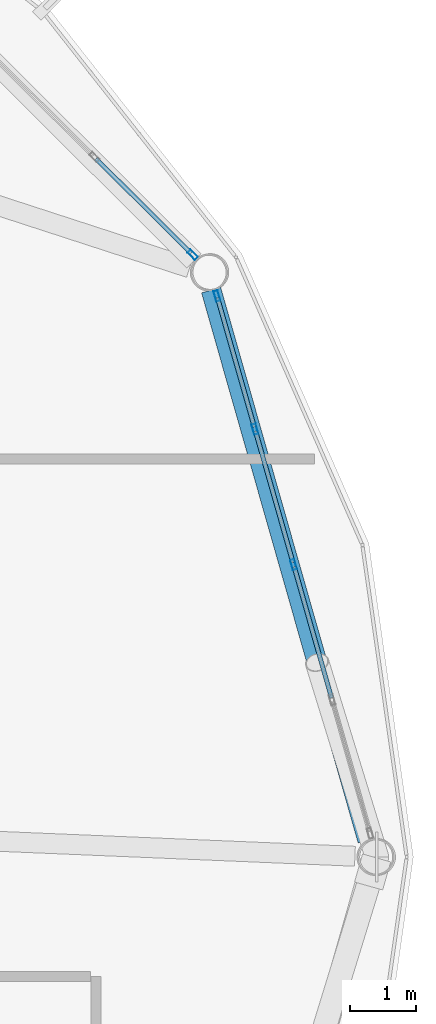
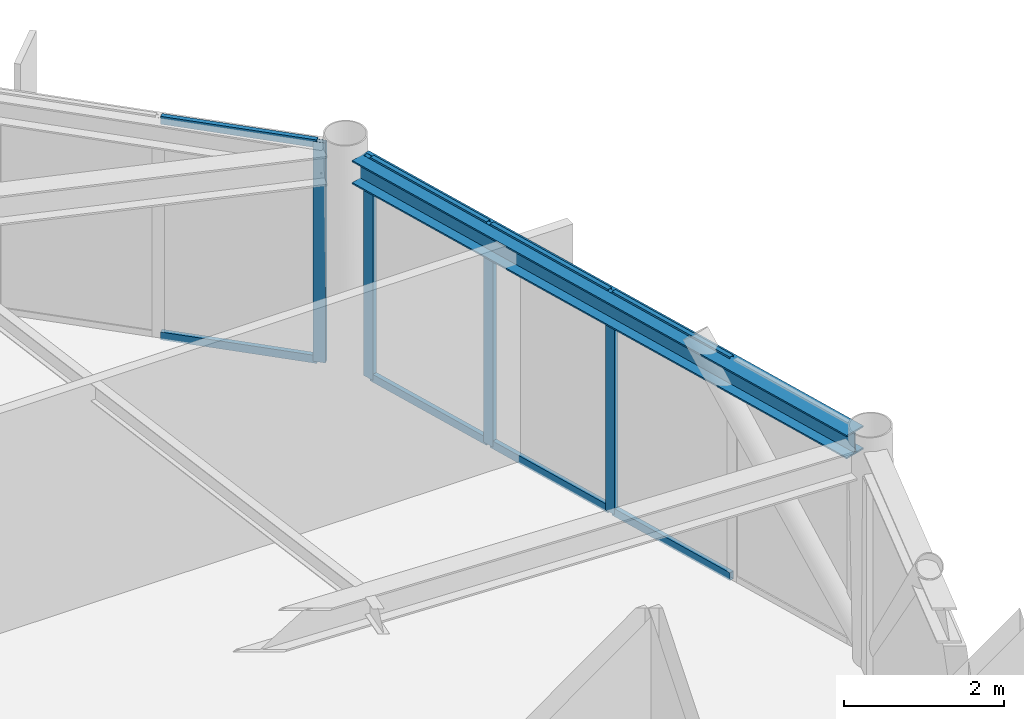
# One storey, part 15 of 24: 12 members, 1 beam, 2 elements without a shape of their own.
"""IFC4 building model written with IfcOpenShell, lengths in metres."""

from ifc_helpers import new_model, si_unit, direction, frame, origin, origin_2d, place, context, subcontext, project, spatial, hollow_rectangle, i_section, extrude, material, layer, layer_set, material_profile, profile_set, type_object, element, aggregate, save


model = new_model("IFC4")

# Units and contexts
model_context = context("Model", 3, precision=1e-05, world=origin(), true_north=direction((0.0, 1.0)))
body_context = subcontext(model_context, "Body", "Model", "MODEL_VIEW")
ifc_project = project(units=[si_unit("LENGTHUNIT", "METRE"), si_unit("AREAUNIT", "SQUARE_METRE"), si_unit("VOLUMEUNIT", "CUBIC_METRE"), si_unit("PLANEANGLEUNIT", "RADIAN"), si_unit("MASSUNIT", "GRAM", prefix="KILO")], contexts=[model_context])

# Site, building, storey
site_placement = place(None, origin())
site = spatial("IfcSite", under=ifc_project, at=site_placement, CompositionType="ELEMENT")
building_placement = place(site_placement, origin())
building = spatial("IfcBuilding", under=site, at=building_placement, Name="Varnakorn Sky Granary", CompositionType="ELEMENT")
storey_placement = place(building_placement, frame((0.0, 0.0, 281.39990234375)))
storey = spatial("IfcBuildingStorey", under=building, at=storey_placement, Name="L72", CompositionType="ELEMENT", Elevation=281.39990234375)

# Beam
ifc_material_1 = material(Name="Steel S355JR", Category="steel")
ifc_material_profile_1 = material_profile(ifc_material_1, i_section(OverallWidth=0.300048828125, OverallDepth=0.360107421875, WebThickness=0.012451171875, FlangeThickness=0.0224609375, at=origin_2d()), Name="HE 360 B")
ifc_profile_set_1 = profile_set([ifc_material_profile_1], Name="Steel S355JR")
beam_type = type_object("IfcBeamType", Name="BM-SPD-Z5", PredefinedType="SPANDREL", material=ifc_profile_set_1)
beam_placement = place(storey_placement, frame((22.595703125, 0.25439453125, 3.18017578125), z_axis=(-0.273710976677, 0.961811988512, 0.0), x_axis=(-0.961811988512, -0.273710976677, 0.0)))
element("IfcBeam", 1, at=beam_placement, inside=storey, type_object=beam_type, Name="Perimeter Spandrel Ring Beam RB01 L72", PredefinedType="SPANDREL", context=body_context, shape_type="SweptSolid", body=[
    extrude(i_section(OverallWidth=0.300048828125, OverallDepth=0.360107421875, WebThickness=0.012451171875, FlangeThickness=0.0224609375, at=origin_2d()), origin(), (0.0, 0.0, 1.0), 8.619873046875),
])

# Curtain wall, members
ifc_material_2 = material(Name="Anodised Bronze Aluminium Alloy 6063-T6", Category="aluminium")
ifc_layer = layer(ifc_material_2, 0.159912109375, Name="Anodised Bronze Aluminium Alloy 6063-T6")
ifc_layer_set = layer_set([ifc_layer], Name="Anodised Bronze Aluminium Alloy 6063-T6")
curtain_wall_type = type_object("IfcCurtainWallType", Name="CW-OFF-1", PredefinedType="USERDEFINED", material=ifc_layer_set)
curtain_wall_1_placement = place(storey_placement, origin())
curtain_wall_1 = element("IfcCurtainWall", 2, at=curtain_wall_1_placement, inside=storey, type_object=curtain_wall_type, Name="Unitised Curtain Wall CW6 CW-L72-B01", ObjectType="CURTAIN WALL", PredefinedType="USERDEFINED")
ifc_material_profile_2 = material_profile(ifc_material_2, hollow_rectangle(XDim=0.06494140625, YDim=0.159912109375, WallThickness=0.00341796875, at=origin_2d()), Name="ALU MULL 65x160")
ifc_profile_set_2 = profile_set([ifc_material_profile_2], Name="Anodised Bronze Aluminium Alloy 6063-T6")
member_type_1 = type_object("IfcMemberType", Name="CW-OFF-1-MULL", PredefinedType="MULLION", material=ifc_profile_set_2)
member_1_placement = place(storey_placement, frame((20.323974609375, 8.458740234375, 0.0), z_axis=(0.0, 0.0, 1.0), x_axis=(0.961698903399, 0.274108042934, 0.0)))
member_1 = element("IfcMember", 3, at=member_1_placement, type_object=member_type_1, Name="CW6 mullion 1", PredefinedType="MULLION", context=body_context, shape_type="SweptSolid", body=[
    extrude(hollow_rectangle(XDim=0.06494140625, YDim=0.159912109375, WallThickness=0.00341796875, at=origin_2d()), origin(), (0.0, 0.0, 1.0), 3.360107421875),
])
member_2_placement = place(storey_placement, frame((20.896728515625, 6.44921875, 0.0), z_axis=(0.0, 0.0, 1.0), x_axis=(0.961698903399, 0.274108042934, 0.0)))
member_2 = element("IfcMember", 4, at=member_2_placement, type_object=member_type_1, Name="CW6 mullion 2", PredefinedType="MULLION", context=body_context, shape_type="SweptSolid", body=[
    extrude(hollow_rectangle(XDim=0.06494140625, YDim=0.159912109375, WallThickness=0.00341796875, at=origin_2d()), origin(), (0.0, 0.0, 1.0), 3.360107421875),
])
member_3_placement = place(storey_placement, frame((21.478515625, 4.408203125, 0.0), z_axis=(0.0, 0.0, 1.0), x_axis=(0.961698903399, 0.274108042934, 0.0)))
member_3 = element("IfcMember", 5, at=member_3_placement, type_object=member_type_1, Name="CW6 mullion 3", PredefinedType="MULLION", context=body_context, shape_type="SweptSolid", body=[
    extrude(hollow_rectangle(XDim=0.06494140625, YDim=0.159912109375, WallThickness=0.00341796875, at=origin_2d()), origin(), (0.0, 0.0, 1.0), 3.360107421875),
])

# Curtain wall, member
curtain_wall_2_placement = place(storey_placement, origin())
curtain_wall_2 = element("IfcCurtainWall", 6, at=curtain_wall_2_placement, inside=storey, type_object=curtain_wall_type, Name="Unitised Curtain Wall CW6 CW-L72-B02", ObjectType="CURTAIN WALL", PredefinedType="USERDEFINED")
member_4_placement = place(storey_placement, frame((19.9580078125, 9.07861328125, 0.0), z_axis=(0.0, 0.0, 1.0), x_axis=(0.704761759046, 0.709444052048, 0.0)))
member_4 = element("IfcMember", 7, at=member_4_placement, type_object=member_type_1, Name="CW6 mullion 5", PredefinedType="MULLION", context=body_context, shape_type="SweptSolid", body=[
    extrude(hollow_rectangle(XDim=0.06494140625, YDim=0.159912109375, WallThickness=0.00341796875, at=origin_2d()), origin(), (0.0, 0.0, 1.0), 3.360107421875),
])

# Member
ifc_material_profile_3 = material_profile(ifc_material_2, hollow_rectangle(XDim=0.06494140625, YDim=0.1201171875, WallThickness=0.00341796875, at=origin_2d()), Name="ALU TRAN 65x120")
ifc_profile_set_3 = profile_set([ifc_material_profile_3], Name="Anodised Bronze Aluminium Alloy 6063-T6")
member_type_2 = type_object("IfcMemberType", Name="CW-OFF-1-TRAN", PredefinedType="USERDEFINED", material=ifc_profile_set_3)
member_5_placement = place(storey_placement, frame((20.3330078125, 8.427490234375, 0.03271484375), z_axis=(0.274099920913, -0.961701218339, 0.0), x_axis=(0.961701218339, 0.274099920913, 0.0)))
member_5 = element("IfcMember", 8, at=member_5_placement, type_object=member_type_2, Name="CW6 transom 1.1", ObjectType="TRANSOM", PredefinedType="USERDEFINED", context=body_context, shape_type="SweptSolid", body=[
    extrude(hollow_rectangle(XDim=0.06494140625, YDim=0.1201171875, WallThickness=0.00341796875, at=origin_2d()), origin(), (0.0, 0.0, 1.0), 2.024658203125),
])

member_6_placement = place(storey_placement, frame((20.3330078125, 8.427490234375, 3.32763671875), z_axis=(0.274099920913, -0.961701218339, 0.0), x_axis=(0.961701218339, 0.274099920913, 0.0)))
member_6 = element("IfcMember", 9, at=member_6_placement, type_object=member_type_2, Name="CW6 transom 1.2", ObjectType="TRANSOM", PredefinedType="USERDEFINED", context=body_context, shape_type="SweptSolid", body=[
    extrude(hollow_rectangle(XDim=0.06494140625, YDim=0.1201171875, WallThickness=0.00341796875, at=origin_2d()), origin(), (0.0, 0.0, 1.0), 2.024658203125),
])

member_7_placement = place(storey_placement, frame((20.90576171875, 6.41796875, 0.03271484375), z_axis=(0.274015733899, -0.961725208974, 0.0), x_axis=(0.961725208974, 0.274015733899, 0.0)))
member_7 = element("IfcMember", 10, at=member_7_placement, type_object=member_type_2, Name="CW6 transom 2.1", ObjectType="TRANSOM", PredefinedType="USERDEFINED", context=body_context, shape_type="SweptSolid", body=[
    extrude(hollow_rectangle(XDim=0.06494140625, YDim=0.1201171875, WallThickness=0.00341796875, at=origin_2d()), origin(), (0.0, 0.0, 1.0), 2.057373046875),
])

member_8_placement = place(storey_placement, frame((20.90576171875, 6.41796875, 3.32763671875), z_axis=(0.274015733899, -0.961725208974, 0.0), x_axis=(0.961725208974, 0.274015733899, 0.0)))
member_8 = element("IfcMember", 11, at=member_8_placement, type_object=member_type_2, Name="CW6 transom 2.2", ObjectType="TRANSOM", PredefinedType="USERDEFINED", context=body_context, shape_type="SweptSolid", body=[
    extrude(hollow_rectangle(XDim=0.06494140625, YDim=0.1201171875, WallThickness=0.00341796875, at=origin_2d()), origin(), (0.0, 0.0, 1.0), 2.057373046875),
])

member_9_placement = place(storey_placement, frame((21.4873046875, 4.376953125, 0.03271484375), z_axis=(0.274156778469, -0.961685011227, 0.0), x_axis=(0.961685011227, 0.274156778469, 0.0)))
member_9 = element("IfcMember", 12, at=member_9_placement, type_object=member_type_2, Name="CW6 transom 3.1", ObjectType="TRANSOM", PredefinedType="USERDEFINED", context=body_context, shape_type="SweptSolid", body=[
    extrude(hollow_rectangle(XDim=0.06494140625, YDim=0.1201171875, WallThickness=0.00341796875, at=origin_2d()), origin(), (0.0, 0.0, 1.0), 2.05712890625),
])

member_10_placement = place(storey_placement, frame((21.4873046875, 4.376953125, 3.32763671875), z_axis=(0.274156778469, -0.961685011227, 0.0), x_axis=(0.961685011227, 0.274156778469, 0.0)))
member_10 = element("IfcMember", 13, at=member_10_placement, type_object=member_type_2, Name="CW6 transom 3.2", ObjectType="TRANSOM", PredefinedType="USERDEFINED", context=body_context, shape_type="SweptSolid", body=[
    extrude(hollow_rectangle(XDim=0.06494140625, YDim=0.1201171875, WallThickness=0.00341796875, at=origin_2d()), origin(), (0.0, 0.0, 1.0), 2.05712890625),
])

aggregate(curtain_wall_1, [member_1, member_2, member_3, member_5, member_6, member_7, member_8, member_9, member_10])

member_11_placement = place(storey_placement, frame((18.500244140625, 10.52685546875, 0.03271484375), z_axis=(0.709456854507, -0.704748871296, 0.0), x_axis=(0.704748871296, 0.709456854507, 0.0)))
member_11 = element("IfcMember", 14, at=member_11_placement, type_object=member_type_2, Name="CW6 transom 4.1", ObjectType="TRANSOM", PredefinedType="USERDEFINED", context=body_context, shape_type="SweptSolid", body=[
    extrude(hollow_rectangle(XDim=0.06494140625, YDim=0.1201171875, WallThickness=0.00341796875, at=origin_2d()), origin(), (0.0, 0.0, 1.0), 2.0224609375),
])

member_12_placement = place(storey_placement, frame((18.500244140625, 10.52685546875, 3.32763671875), z_axis=(0.709456854507, -0.704748871296, 0.0), x_axis=(0.704748871296, 0.709456854507, 0.0)))
member_12 = element("IfcMember", 15, at=member_12_placement, type_object=member_type_2, Name="CW6 transom 4.2", ObjectType="TRANSOM", PredefinedType="USERDEFINED", context=body_context, shape_type="SweptSolid", body=[
    extrude(hollow_rectangle(XDim=0.06494140625, YDim=0.1201171875, WallThickness=0.00341796875, at=origin_2d()), origin(), (0.0, 0.0, 1.0), 2.0224609375),
])

aggregate(curtain_wall_2, [member_4, member_11, member_12])

save(model, "model.ifc")
